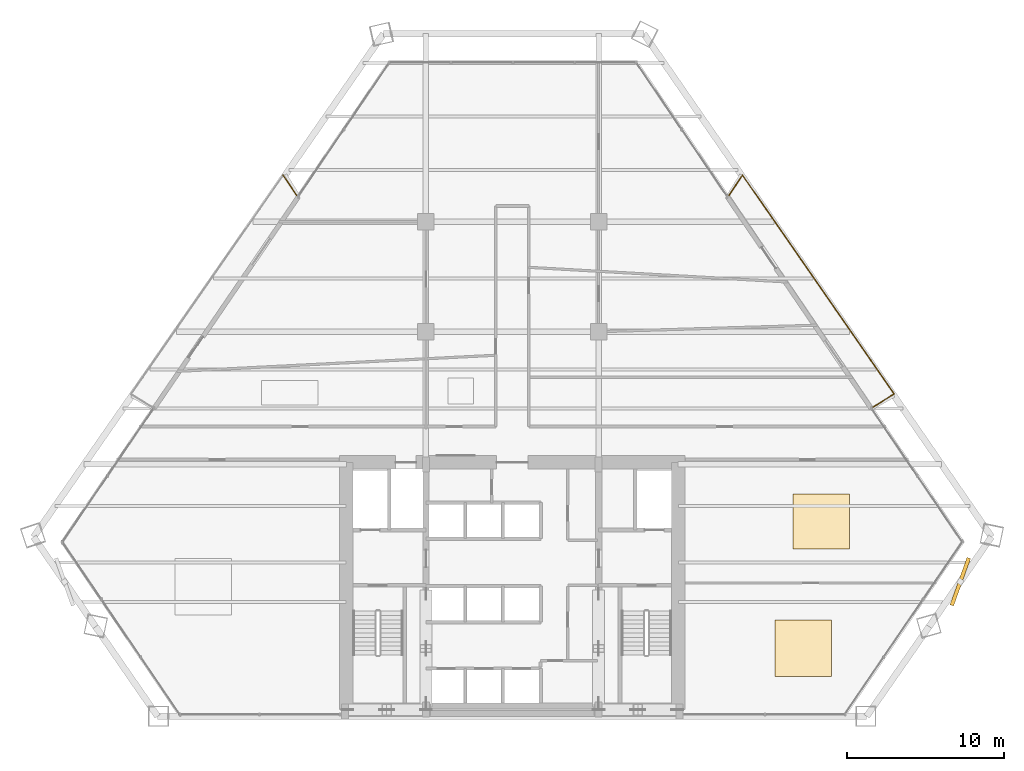
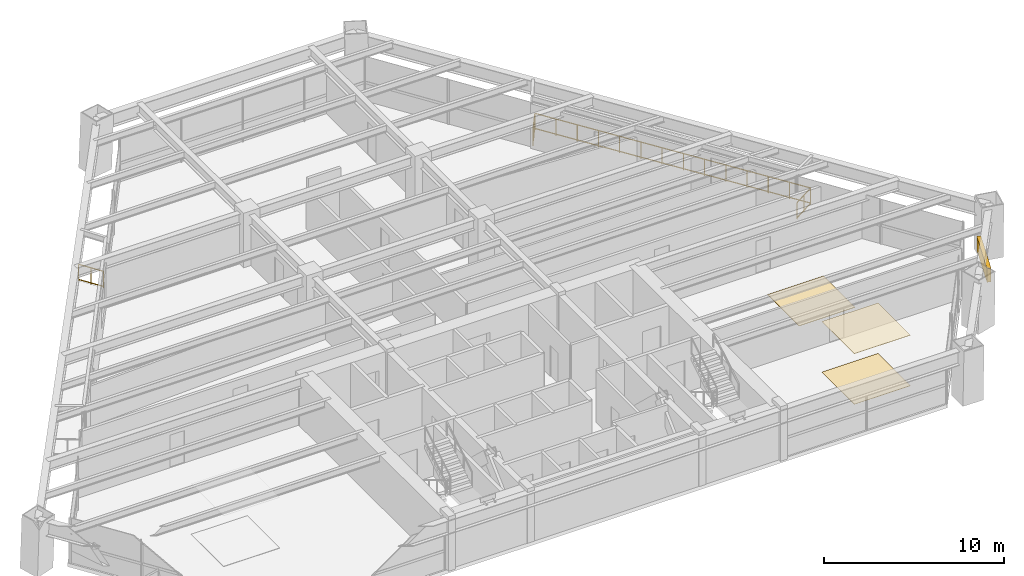
# One storey, part 14 of 14: 4 railings, 3 coverings, 1 shading device.
"""IFC4 building model written with IfcOpenShell, lengths in metres."""

from ifc_helpers import new_model, si_unit, direction, frame, origin, origin_2d, place, context, subcontext, project, spatial, rectangle, extrude, source, transform, mapped, material, layer, layer_set, type_object, type_shapes, element, save


model = new_model("IFC4")

# Units and contexts
model_context = context("Model", 3, precision=1e-05, world=origin(), true_north=direction((0.0, 1.0)))
body_context = subcontext(model_context, "Body", "Model", "MODEL_VIEW")
ifc_project = project(units=[si_unit("LENGTHUNIT", "METRE"), si_unit("AREAUNIT", "SQUARE_METRE"), si_unit("VOLUMEUNIT", "CUBIC_METRE"), si_unit("PLANEANGLEUNIT", "RADIAN"), si_unit("MASSUNIT", "GRAM", prefix="KILO")], contexts=[model_context])

# Site, building, storey
site_placement = place(None, origin())
site = spatial("IfcSite", under=ifc_project, at=site_placement, CompositionType="ELEMENT")
building_placement = place(site_placement, origin())
building = spatial("IfcBuilding", under=site, at=building_placement, Name="Varnakhor Terracotta Tower", CompositionType="ELEMENT")
storey_placement = place(building_placement, frame((0.0, 0.0, 31.199951171875)))
storey = spatial("IfcBuildingStorey", under=building, at=storey_placement, Name="L06", CompositionType="ELEMENT", Elevation=31.199951171875)

# Railings
ifc_material_1 = material(Name="Stainless Steel & Laminated Glass Guardrail", Category="steel")
railing_type = type_object("IfcRailingType", Name="RLG-LOGGIA-GUARD-1150", PredefinedType="GUARDRAIL", material=ifc_material_1)
railing_1_placement = place(storey_placement, frame((13.800048828125, 33.179931640625, 0.0)))
element("IfcRailing", 1, at=railing_1_placement, inside=storey, type_object=railing_type, Name="L06 E Loggia Glass Guard 1", PredefinedType="GUARDRAIL", context=body_context, shape_type="SweptSolid", body=[
    extrude(rectangle(XDim=0.048095703125, YDim=0.048095703125, at=origin_2d()), frame((0.0, 0.0, 1.1259765625), z_axis=(0.55764709418, 0.830078139908, 0.0), x_axis=(-0.830078139908, 0.55764709418, 0.0)), (0.0, 0.0, 1.0), 1.546875),
    extrude(rectangle(XDim=0.048095703125, YDim=0.048095703125, at=origin_2d()), frame((0.0, 0.0, 0.10009765625), z_axis=(0.55764709418, 0.830078139908, 0.0), x_axis=(-0.830078139908, 0.55764709418, 0.0)), (0.0, 0.0, 1.0), 1.546875),
    extrude(rectangle(XDim=0.0419921875, YDim=0.0419921875, at=origin_2d()), origin(), (0.0, 0.0, 1.0), 1.101806640625),
    extrude(rectangle(XDim=0.0419921875, YDim=0.0419921875, at=origin_2d()), frame((0.43115234375, 0.64208984375, 0.0)), (0.0, 0.0, 1.0), 1.101806640625),
    extrude(rectangle(XDim=0.0419921875, YDim=0.0419921875, at=origin_2d()), frame((0.862548828125, 1.283935546875, 0.0)), (0.0, 0.0, 1.0), 1.101806640625),
])
railing_2_placement = place(storey_placement, frame((14.66259765625, 34.4638671875, 0.0)))
element("IfcRailing", 2, at=railing_2_placement, inside=storey, type_object=railing_type, Name="L06 E Loggia Glass Guard 2", PredefinedType="GUARDRAIL", context=body_context, shape_type="SweptSolid", body=[
    extrude(rectangle(XDim=0.048095703125, YDim=0.048095703125, at=origin_2d()), frame((0.0, 0.0, 1.1259765625), z_axis=(0.569761852801, -0.821809850934, 0.0), x_axis=(0.821809850934, 0.569761852801, 0.0)), (0.0, 0.0, 1.0), 16.949951171875),
    extrude(rectangle(XDim=0.048095703125, YDim=0.048095703125, at=origin_2d()), frame((0.0, 0.0, 0.10009765625), z_axis=(0.569761852801, -0.821809850934, 0.0), x_axis=(0.821809850934, 0.569761852801, 0.0)), (0.0, 0.0, 1.0), 16.949951171875),
    extrude(rectangle(XDim=0.0419921875, YDim=0.0419921875, at=origin_2d()), origin(), (0.0, 0.0, 1.0), 1.101806640625),
    extrude(rectangle(XDim=0.0419921875, YDim=0.0419921875, at=origin_2d()), frame((0.742919921875, -1.071533203125, 0.0)), (0.0, 0.0, 1.0), 1.101806640625),
    extrude(rectangle(XDim=0.0419921875, YDim=0.0419921875, at=origin_2d()), frame((1.48583984375, -2.14306640625, 0.0)), (0.0, 0.0, 1.0), 1.101806640625),
    extrude(rectangle(XDim=0.0419921875, YDim=0.0419921875, at=origin_2d()), frame((2.228759765625, -3.214599609375, 0.0)), (0.0, 0.0, 1.0), 1.101806640625),
    extrude(rectangle(XDim=0.0419921875, YDim=0.0419921875, at=origin_2d()), frame((2.971435546875, -4.2861328125, 0.0)), (0.0, 0.0, 1.0), 1.101806640625),
    extrude(rectangle(XDim=0.0419921875, YDim=0.0419921875, at=origin_2d()), frame((3.71435546875, -5.357666015625, 0.0)), (0.0, 0.0, 1.0), 1.101806640625),
    extrude(rectangle(XDim=0.0419921875, YDim=0.0419921875, at=origin_2d()), frame((4.457275390625, -6.42919921875, 0.0)), (0.0, 0.0, 1.0), 1.101806640625),
    extrude(rectangle(XDim=0.0419921875, YDim=0.0419921875, at=origin_2d()), frame((5.2001953125, -7.50048828125, 0.0)), (0.0, 0.0, 1.0), 1.101806640625),
    extrude(rectangle(XDim=0.0419921875, YDim=0.0419921875, at=origin_2d()), frame((5.943115234375, -8.572021484375, 0.0)), (0.0, 0.0, 1.0), 1.101806640625),
    extrude(rectangle(XDim=0.0419921875, YDim=0.0419921875, at=origin_2d()), frame((6.68603515625, -9.6435546875, 0.0)), (0.0, 0.0, 1.0), 1.101806640625),
    extrude(rectangle(XDim=0.0419921875, YDim=0.0419921875, at=origin_2d()), frame((7.4287109375, -10.715087890625, 0.0)), (0.0, 0.0, 1.0), 1.101806640625),
    extrude(rectangle(XDim=0.0419921875, YDim=0.0419921875, at=origin_2d()), frame((8.171630859375, -11.78662109375, 0.0)), (0.0, 0.0, 1.0), 1.101806640625),
    extrude(rectangle(XDim=0.0419921875, YDim=0.0419921875, at=origin_2d()), frame((8.91455078125, -12.858154296875, 0.0)), (0.0, 0.0, 1.0), 1.101806640625),
    extrude(rectangle(XDim=0.0419921875, YDim=0.0419921875, at=origin_2d()), frame((9.657470703125, -13.9296875, 0.0)), (0.0, 0.0, 1.0), 1.101806640625),
])
railing_3_placement = place(storey_placement, frame((24.320068359375, 20.5341796875, 0.0)))
element("IfcRailing", 3, at=railing_3_placement, inside=storey, type_object=railing_type, Name="L06 E Loggia Glass Guard 3", PredefinedType="GUARDRAIL", context=body_context, shape_type="SweptSolid", body=[
    extrude(rectangle(XDim=0.048095703125, YDim=0.048095703125, at=origin_2d()), frame((0.0, 0.0, 1.1259765625), z_axis=(-0.849324406997, -0.527871245361, 0.0), x_axis=(0.527871245361, -0.849324406997, 0.0)), (0.0, 0.0, 1.0), 1.589599609375),
    extrude(rectangle(XDim=0.048095703125, YDim=0.048095703125, at=origin_2d()), frame((0.0, 0.0, 0.10009765625), z_axis=(-0.849324406997, -0.527871245361, 0.0), x_axis=(0.527871245361, -0.849324406997, 0.0)), (0.0, 0.0, 1.0), 1.589599609375),
    extrude(rectangle(XDim=0.0419921875, YDim=0.0419921875, at=origin_2d()), origin(), (0.0, 0.0, 1.0), 1.101806640625),
    extrude(rectangle(XDim=0.0419921875, YDim=0.0419921875, at=origin_2d()), frame((-0.675048828125, -0.41943359375, 0.0)), (0.0, 0.0, 1.0), 1.101806640625),
    extrude(rectangle(XDim=0.0419921875, YDim=0.0419921875, at=origin_2d()), frame((-1.35009765625, -0.839111328125, 0.0)), (0.0, 0.0, 1.0), 1.101806640625),
])
railing_4_placement = place(storey_placement, frame((-14.595458984375, 34.4619140625, 0.0)))
element("IfcRailing", 4, at=railing_4_placement, inside=storey, type_object=railing_type, Name="L06 W Loggia Glass Guard 3", PredefinedType="GUARDRAIL", context=body_context, shape_type="SweptSolid", body=[
    extrude(rectangle(XDim=0.048095703125, YDim=0.048095703125, at=origin_2d()), frame((0.0, 0.0, 1.1259765625), z_axis=(0.557755835956, -0.830005076766, 0.0), x_axis=(0.830005076766, 0.557755835956, 0.0)), (0.0, 0.0, 1.0), 1.546875),
    extrude(rectangle(XDim=0.048095703125, YDim=0.048095703125, at=origin_2d()), frame((0.0, 0.0, 0.10009765625), z_axis=(0.557755835956, -0.830005076766, 0.0), x_axis=(0.830005076766, 0.557755835956, 0.0)), (0.0, 0.0, 1.0), 1.546875),
    extrude(rectangle(XDim=0.0419921875, YDim=0.0419921875, at=origin_2d()), origin(), (0.0, 0.0, 1.0), 1.101806640625),
    extrude(rectangle(XDim=0.0419921875, YDim=0.0419921875, at=origin_2d()), frame((0.431396484375, -0.64208984375, 0.0)), (0.0, 0.0, 1.0), 1.101806640625),
    extrude(rectangle(XDim=0.0419921875, YDim=0.0419921875, at=origin_2d()), frame((0.86279296875, -1.283935546875, 0.0)), (0.0, 0.0, 1.0), 1.101806640625),
])

# Shading device
ifc_material_2 = material(Name="Extruded Architectural Terracotta Screen", Category="masonry")
shading_device_type = type_object("IfcShadingDeviceType", Name="TERRACOTTA SOLAR SCREEN E", PredefinedType="USERDEFINED", material=ifc_material_2)
shared_shape_1 = source(origin(), body_context, "Body", "SweptSolid", [
    extrude(rectangle(XDim=3.199951171875, YDim=0.239990234375, at=origin_2d()), origin(), (0.0, 0.0, 1.0), 0.919921875),
])
type_shapes(shading_device_type, [shared_shape_1])
shading_device_placement = place(storey_placement, frame((28.53369140625, 8.577392578125, 1.6181640625), z_axis=(0.0, 0.0, 1.0), x_axis=(0.338836447191, 0.940845291243, 0.0)))
element("IfcShadingDevice", 5, at=shading_device_placement, inside=storey, type_object=shading_device_type, Name="L06 E Terracotta Solar Screen", ObjectType="SCREEN", PredefinedType="USERDEFINED", context=body_context, shape_type="MappedRepresentation", body=[
    mapped(shared_shape_1, transform((0.0, 0.0, 0.0), scale=1.0)),
])

# Coverings
ifc_material_3 = material(Name="Honed Riyadh Limestone Flooring", Category="masonry")
ifc_layer_1 = layer(ifc_material_3, 0.030029296875, Name="Honed Riyadh Limestone Flooring")
ifc_layer_set_1 = layer_set([ifc_layer_1], Name="Honed Riyadh Limestone Flooring")
covering_type_1 = type_object("IfcCoveringType", Name="COV-FLOOR-LIMESTONE", PredefinedType="FLOORING", material=ifc_layer_set_1)
shared_shape_2 = source(origin(), body_context, "Body", "SweptSolid", [
    extrude(rectangle(XDim=3.60009765625, YDim=3.60009765625, at=origin_2d()), origin(), (0.0, 0.0, 1.0), 0.02001953125),
])
covering_1_placement = place(storey_placement, frame((18.535888671875, 4.35205078125, 0.0), z_axis=(0.0, 0.0, 1.0), x_axis=(1.0, 0.0, 0.0)))
element("IfcCovering", 6, at=covering_1_placement, inside=storey, type_object=covering_type_1, Name="L06 Honed Stone Flooring 1", PredefinedType="FLOORING", context=body_context, shape_type="MappedRepresentation", body=[
    mapped(shared_shape_2, transform((0.0, 0.0, 0.0), scale=1.0)),
])
ifc_material_4 = material(Name="Perforated Acoustic Mineral-Fibre Ceiling", Category="gypsum")
ifc_layer_2 = layer(ifc_material_4, 0.02490234375, Name="Perforated Acoustic Mineral-Fibre Ceiling")
ifc_layer_set_2 = layer_set([ifc_layer_2], Name="Perforated Acoustic Mineral-Fibre Ceiling")
covering_type_2 = type_object("IfcCoveringType", Name="COV-CEILING-ACOUSTIC", PredefinedType="CEILING", material=ifc_layer_set_2)
shared_shape_3 = source(origin(), body_context, "Body", "SweptSolid", [
    extrude(rectangle(XDim=3.60009765625, YDim=3.60009765625, at=origin_2d()), origin(), (0.0, 0.0, 1.0), 0.02392578125),
])
covering_2_placement = place(storey_placement, frame((18.535888671875, 4.35205078125, 3.426025390625), z_axis=(0.0, 0.0, 1.0), x_axis=(1.0, 0.0, 0.0)))
element("IfcCovering", 7, at=covering_2_placement, inside=storey, type_object=covering_type_2, Name="L06 Acoustic Ceiling Panel 1", PredefinedType="CEILING", context=body_context, shape_type="MappedRepresentation", body=[
    mapped(shared_shape_3, transform((0.0, 0.0, 0.0), scale=1.0)),
])
shared_shape_4 = source(origin(), body_context, "Body", "SweptSolid", [
    extrude(rectangle(XDim=3.60009765625, YDim=3.507080078125, at=origin_2d()), origin(), (0.0, 0.0, 1.0), 0.02001953125),
])
covering_3_placement = place(storey_placement, frame((19.675048828125, 12.4140625, 0.0), z_axis=(0.0, 0.0, 1.0), x_axis=(1.0, 0.0, 0.0)))
element("IfcCovering", 8, at=covering_3_placement, inside=storey, type_object=covering_type_1, Name="L06 Honed Stone Flooring 3", PredefinedType="FLOORING", context=body_context, shape_type="MappedRepresentation", body=[
    mapped(shared_shape_4, transform((0.0, 0.0, 0.0), scale=1.0)),
])

save(model, "model.ifc")
